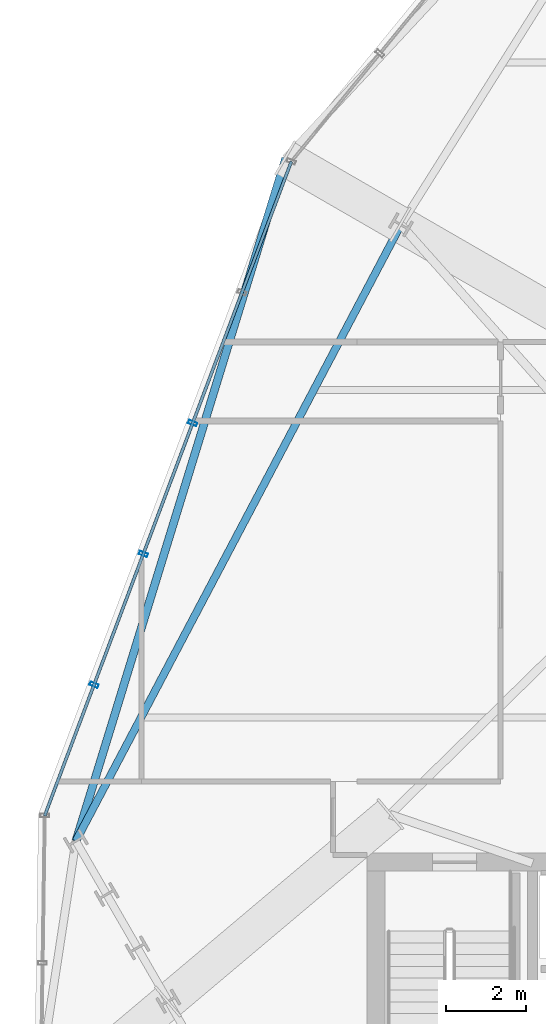
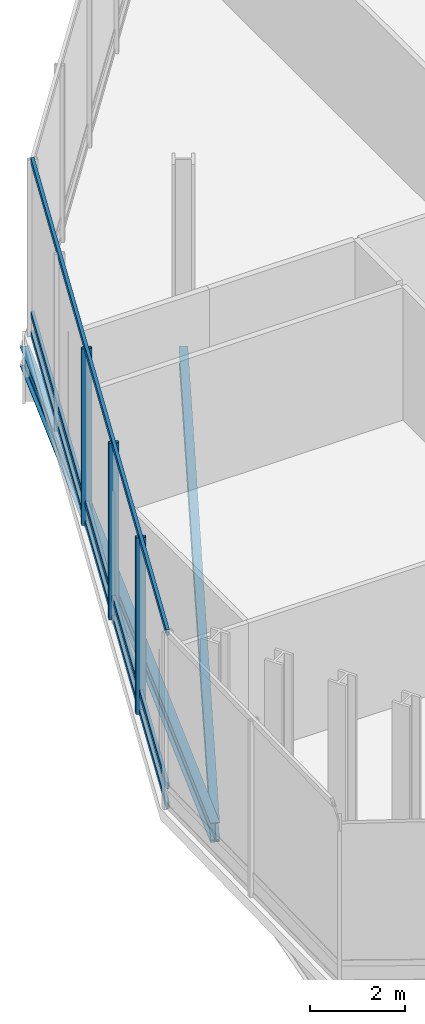
# One storey, part 6 of 26: 6 members, 2 beams, 1 element without a shape of its own.
"""IFC4 building model written with IfcOpenShell, lengths in metres."""

from ifc_helpers import new_model, si_unit, direction, frame, origin, origin_2d, place, context, subcontext, project, spatial, hollow_rectangle, i_section, extrude, material, layer, layer_set, material_profile, profile_set, type_object, element, aggregate, save


model = new_model("IFC4")

# Units and contexts
model_context = context("Model", 3, precision=1e-05, world=origin(), true_north=direction((0.0, 1.0)))
body_context = subcontext(model_context, "Body", "Model", "MODEL_VIEW")
ifc_project = project(units=[si_unit("LENGTHUNIT", "METRE"), si_unit("AREAUNIT", "SQUARE_METRE"), si_unit("VOLUMEUNIT", "CUBIC_METRE"), si_unit("PLANEANGLEUNIT", "RADIAN"), si_unit("MASSUNIT", "GRAM", prefix="KILO")], contexts=[model_context])

# Site, building, storey
site_placement = place(None, origin())
site = spatial("IfcSite", under=ifc_project, at=site_placement, CompositionType="ELEMENT")
building_placement = place(site_placement, origin())
building = spatial("IfcBuilding", under=site, at=building_placement, Name="Ndaravel Arena Tower", CompositionType="ELEMENT")
storey_placement = place(building_placement, frame((0.0, 0.0, 117.39990234375)))
storey = spatial("IfcBuildingStorey", under=building, at=storey_placement, Name="L27", CompositionType="ELEMENT", Elevation=117.39990234375)

# Beams
ifc_material_1 = material(Name="Steel S355", Category="steel")
ifc_material_profile_1 = material_profile(ifc_material_1, i_section(OverallWidth=0.18994140625, OverallDepth=0.449951171875, WebThickness=0.009521484375, FlangeThickness=0.0146484375, FilletRadius=0.02099609375, at=origin_2d()), Name="IPE 450")
ifc_profile_set_1 = profile_set([ifc_material_profile_1], Name="Steel S355")
beam_type_1 = type_object("IfcBeamType", Name="BM-SPAN-IPE450", PredefinedType="SPANDREL", material=ifc_profile_set_1)
beam_1_placement = place(storey_placement, frame((27.3017578125, 30.938232421875, -0.5048828125), z_axis=(-0.466468281773, -0.884537925756, 0.0), x_axis=(0.884537925756, -0.466468281773, 0.0)))
element("IfcBeam", 1, at=beam_1_placement, inside=storey, type_object=beam_type_1, Name="L27 Perimeter Spandrel Beam SP-19", PredefinedType="SPANDREL", context=body_context, shape_type="SweptSolid", body=[
    extrude(i_section(OverallWidth=0.18994140625, OverallDepth=0.449951171875, WebThickness=0.009521484375, FlangeThickness=0.0146484375, FilletRadius=0.02099609375, at=origin_2d()), origin(), (0.0, 0.0, 1.0), 17.448486328125),
])
ifc_material_2 = material(Name="Steel S355", Category="steel")
ifc_material_profile_2 = material_profile(ifc_material_2, i_section(OverallWidth=0.199951171875, OverallDepth=0.5, WebThickness=0.01025390625, FlangeThickness=0.01611328125, FilletRadius=0.02099609375, at=origin_2d()), Name="IPE 500")
ifc_profile_set_2 = profile_set([ifc_material_profile_2], Name="Steel S355")
beam_type_2 = type_object("IfcBeamType", Name="BM-SPAN-IPE500", PredefinedType="SPANDREL", material=ifc_profile_set_2)
beam_2_placement = place(storey_placement, frame((24.417724609375, 32.603271484375, -0.52978515625), z_axis=(-0.293776057664, -0.95587427413, 0.0), x_axis=(0.95587427413, -0.293776057664, 0.0)))
element("IfcBeam", 2, at=beam_2_placement, inside=storey, type_object=beam_type_2, Name="L27 Star Facet Edge Beam SEB-6", PredefinedType="SPANDREL", context=body_context, shape_type="SweptSolid", body=[
    extrude(i_section(OverallWidth=0.199951171875, OverallDepth=0.5, WebThickness=0.01025390625, FlangeThickness=0.01611328125, FilletRadius=0.02099609375, at=origin_2d()), origin(), (0.0, 0.0, 1.0), 17.88818359375),
])

# Curtain wall, members
ifc_material_3 = material(Name="Aluminium", Category="aluminium")
ifc_layer = layer(ifc_material_3, 0.179931640625)
ifc_layer_set = layer_set([ifc_layer], Name="Aluminium")
curtain_wall_type = type_object("IfcCurtainWallType", Name="CW-SYS-04", PredefinedType="NOTDEFINED", material=ifc_layer_set)
curtain_wall_placement = place(storey_placement, origin())
curtain_wall = element("IfcCurtainWall", 3, at=curtain_wall_placement, inside=storey, type_object=curtain_wall_type, Name="L27 Faceted Crystal Curtain Wall CW-L27-E11", PredefinedType="NOTDEFINED")
ifc_material_4 = material(Name="Aluminium", Category="aluminium")
ifc_material_profile_3 = material_profile(ifc_material_4, hollow_rectangle(XDim=0.090087890625, YDim=0.219970703125, WallThickness=0.0048828125, at=origin_2d()), Name="CW MULLION 90x220x5")
ifc_profile_set_3 = profile_set([ifc_material_profile_3], Name="Aluminium")
member_type_1 = type_object("IfcMemberType", Name="MEM-CW-MUL220", PredefinedType="MULLION", material=ifc_profile_set_3)
member_1_placement = place(storey_placement, frame((22.087646484375, 25.97021484375, 0.0), z_axis=(0.0, 0.0, 1.0), x_axis=(-0.352805363625, -0.935696732599, 0.0)))
member_1 = element("IfcMember", 4, at=member_1_placement, type_object=member_type_1, Name="CW-L27-E11 Mullion 02", PredefinedType="MULLION", context=body_context, shape_type="SweptSolid", body=[
    extrude(hollow_rectangle(XDim=0.090087890625, YDim=0.219970703125, WallThickness=0.0048828125, at=origin_2d()), origin(), (0.0, 0.0, 1.0), 4.52001953125),
])
member_2_placement = place(storey_placement, frame((20.8525390625, 22.6943359375, 0.0), z_axis=(0.0, 0.0, 1.0), x_axis=(-0.352805363625, -0.935696732599, 0.0)))
member_2 = element("IfcMember", 5, at=member_2_placement, type_object=member_type_1, Name="CW-L27-E11 Mullion 03", PredefinedType="MULLION", context=body_context, shape_type="SweptSolid", body=[
    extrude(hollow_rectangle(XDim=0.090087890625, YDim=0.219970703125, WallThickness=0.0048828125, at=origin_2d()), origin(), (0.0, 0.0, 1.0), 4.52001953125),
])
member_3_placement = place(storey_placement, frame((19.6171875, 19.418212890625, 0.0), z_axis=(0.0, 0.0, 1.0), x_axis=(-0.352805363625, -0.935696732599, 0.0)))
member_3 = element("IfcMember", 6, at=member_3_placement, type_object=member_type_1, Name="CW-L27-E11 Mullion 04", PredefinedType="MULLION", context=body_context, shape_type="SweptSolid", body=[
    extrude(hollow_rectangle(XDim=0.090087890625, YDim=0.219970703125, WallThickness=0.0048828125, at=origin_2d()), origin(), (0.0, 0.0, 1.0), 4.52001953125),
])
ifc_material_5 = material(Name="Aluminium", Category="aluminium")
ifc_material_profile_4 = material_profile(ifc_material_5, hollow_rectangle(XDim=0.074951171875, YDim=0.14990234375, WallThickness=0.00390625, at=origin_2d()), Name="CW TRANSOM 75x150x4")
ifc_profile_set_4 = profile_set([ifc_material_profile_4], Name="Aluminium")
member_type_2 = type_object("IfcMemberType", Name="MEM-CW-TRN150", PredefinedType="USERDEFINED", material=ifc_profile_set_4)
member_4_placement = place(storey_placement, frame((24.55810546875, 32.522216796875, 0.0400390625), z_axis=(-0.352804095043, -0.935697210919, 0.0), x_axis=(0.935697210919, -0.352804095043, 0.0)))
member_4 = element("IfcMember", 7, at=member_4_placement, type_object=member_type_2, Name="CW-L27-E11 Transom 01", ObjectType="TRANSOM", PredefinedType="USERDEFINED", context=body_context, shape_type="SweptSolid", body=[
    extrude(hollow_rectangle(XDim=0.074951171875, YDim=0.14990234375, WallThickness=0.00390625, at=origin_2d()), origin(), (0.0, 0.0, 1.0), 17.505615234375),
])
member_5_placement = place(storey_placement, frame((24.55810546875, 32.522216796875, 0.550048828125), z_axis=(-0.352804095043, -0.935697210919, 0.0), x_axis=(0.935697210919, -0.352804095043, 0.0)))
member_5 = element("IfcMember", 8, at=member_5_placement, type_object=member_type_2, Name="CW-L27-E11 Transom 02", ObjectType="TRANSOM", PredefinedType="USERDEFINED", context=body_context, shape_type="SweptSolid", body=[
    extrude(hollow_rectangle(XDim=0.074951171875, YDim=0.14990234375, WallThickness=0.00390625, at=origin_2d()), origin(), (0.0, 0.0, 1.0), 17.505615234375),
])
member_6_placement = place(storey_placement, frame((24.55810546875, 32.522216796875, 4.47998046875), z_axis=(-0.352804095043, -0.935697210919, 0.0), x_axis=(0.935697210919, -0.352804095043, 0.0)))
member_6 = element("IfcMember", 9, at=member_6_placement, type_object=member_type_2, Name="CW-L27-E11 Transom 03", ObjectType="TRANSOM", PredefinedType="USERDEFINED", context=body_context, shape_type="SweptSolid", body=[
    extrude(hollow_rectangle(XDim=0.074951171875, YDim=0.14990234375, WallThickness=0.00390625, at=origin_2d()), origin(), (0.0, 0.0, 1.0), 17.505615234375),
])
aggregate(curtain_wall, [member_1, member_2, member_3, member_4, member_5, member_6])

save(model, "model.ifc")
